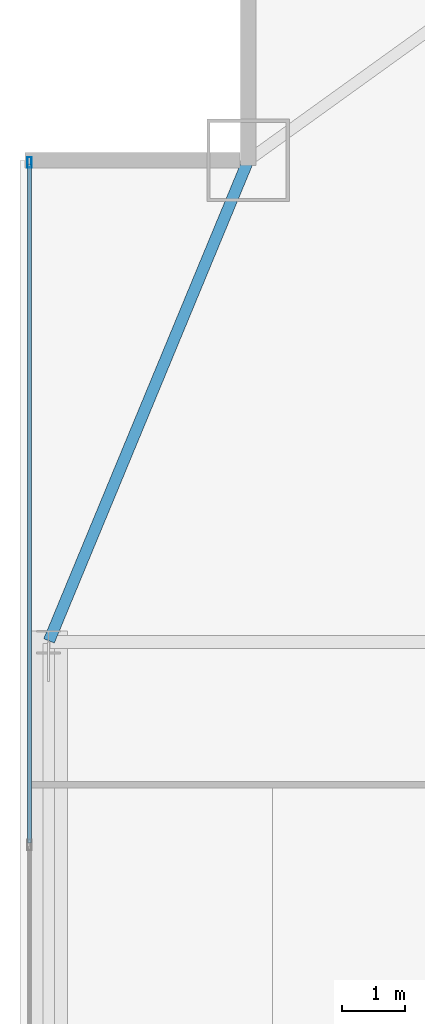
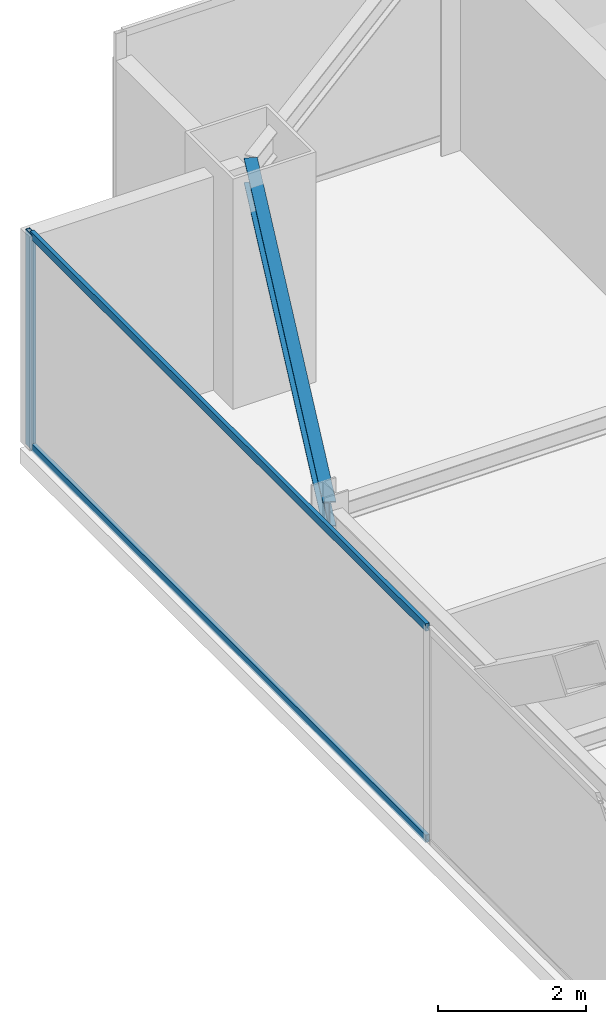
# One storey, part 21 of 34: 3 members, 1 beam, 1 element without a shape of its own.
"""IFC4 building model written with IfcOpenShell, lengths in metres."""

from ifc_helpers import new_model, si_unit, direction, frame, origin, origin_2d, place, context, subcontext, project, spatial, hollow_rectangle, i_section, extrude, source, transform, mapped, material, layer, layer_set, material_profile, profile_set, type_object, type_shapes, element, aggregate, save


model = new_model("IFC4")

# Units and contexts
model_context = context("Model", 3, precision=1e-05, world=origin(), true_north=direction((0.0, 1.0)))
body_context = subcontext(model_context, "Body", "Model", "MODEL_VIEW")
ifc_project = project(units=[si_unit("LENGTHUNIT", "METRE"), si_unit("AREAUNIT", "SQUARE_METRE"), si_unit("VOLUMEUNIT", "CUBIC_METRE"), si_unit("PLANEANGLEUNIT", "RADIAN"), si_unit("MASSUNIT", "GRAM", prefix="KILO")], contexts=[model_context])

# Site, building, storey
site_placement = place(None, origin())
site = spatial("IfcSite", under=ifc_project, at=site_placement, CompositionType="ELEMENT")
building_placement = place(site_placement, origin())
building = spatial("IfcBuilding", under=site, at=building_placement, Name="Varnel Quay Broadcast Tower", CompositionType="ELEMENT")
storey_placement = place(building_placement, frame((0.0, 0.0, 176.199951171875)))
storey = spatial("IfcBuildingStorey", under=building, at=storey_placement, Name="L43", CompositionType="ELEMENT", Elevation=176.199951171875)

# Beam
ifc_material_1 = material(Name="Structural Steel CSA G40.21 350W", Category="steel")
ifc_material_profile_1 = material_profile(ifc_material_1, i_section(OverallWidth=0.180908203125, OverallDepth=0.4169921875, WebThickness=0.010986328125, FlangeThickness=0.018310546875, FilletRadius=0.011962890625, at=origin_2d()), Name="W410X85")
ifc_profile_set_1 = profile_set([ifc_material_profile_1], Name="Structural Steel CSA G40.21 350W")
beam_type = type_object("IfcBeamType", Name="Beam_W410X85", PredefinedType="SPANDREL", material=ifc_profile_set_1)
shared_shape_1 = source(origin(), body_context, "Body", "SweptSolid", [
    extrude(i_section(OverallWidth=0.180908203125, OverallDepth=0.4169921875, WebThickness=0.010986328125, FlangeThickness=0.018310546875, FilletRadius=0.011962890625, at=origin_2d()), origin(), (0.0, 0.0, 1.0), 8.186767578125),
])
type_shapes(beam_type, [shared_shape_1])
beam_placement = place(storey_placement, frame((7.457763671875, 35.618408203125, 3.341552734375), z_axis=(0.382874132092, 0.923800519038, 0.0), x_axis=(-0.923800519038, 0.382874132092, 0.0)))
element("IfcBeam", 1, at=beam_placement, inside=storey, type_object=beam_type, Name="L43 West Spandrel TC-W3-MC-NW", PredefinedType="SPANDREL", context=body_context, shape_type="MappedRepresentation", body=[
    mapped(shared_shape_1, transform((0.0, 0.0, 0.0), x_axis=(1.0, 0.0, 0.0), y_axis=(0.0, 1.0, 0.0), z_axis=(0.0, 0.0, 1.0), scale=1.0)),
])

# Curtain wall, members
ifc_material_2 = material(Name="Anodised Bronze Aluminium 6063-T6", Category="aluminium")
ifc_layer = layer(ifc_material_2, 0.18994140625, Name="Anodised Bronze Aluminium 6063-T6")
ifc_layer_set = layer_set([ifc_layer], Name="Anodised Bronze Aluminium 6063-T6")
curtain_wall_type = type_object("IfcCurtainWallType", Name="CW_UpperTower", PredefinedType="NOTDEFINED", material=ifc_layer_set)
curtain_wall_placement = place(storey_placement, origin())
curtain_wall = element("IfcCurtainWall", 2, at=curtain_wall_placement, inside=storey, type_object=curtain_wall_type, Name="L43 West Unitised Curtain Wall", PredefinedType="NOTDEFINED")
ifc_material_profile_2 = material_profile(ifc_material_2, hollow_rectangle(XDim=0.06494140625, YDim=0.1650390625, WallThickness=0.00341796875, at=origin_2d()), Name="ALU65X165X3.5")
ifc_profile_set_2 = profile_set([ifc_material_profile_2], Name="Anodised Bronze Aluminium 6063-T6")
member_type_1 = type_object("IfcMemberType", Name="Mull_CWS-03", PredefinedType="MULLION", material=ifc_profile_set_2)
shared_shape_2 = source(origin(), body_context, "Body", "SweptSolid", [
    extrude(hollow_rectangle(XDim=0.06494140625, YDim=0.1650390625, WallThickness=0.00341796875, at=origin_2d()), origin(), (0.0, 0.0, 1.0), 3.550048828125),
])
type_shapes(member_type_1, [shared_shape_2])
member_1_placement = place(storey_placement, frame((7.14990234375, 43.16748046875, 0.0), z_axis=(0.0, 0.0, 1.0), x_axis=(-1.0, 0.0, 0.0)))
member_1 = element("IfcMember", 3, at=member_1_placement, type_object=member_type_1, Name="CWS-03 mullion 4", PredefinedType="MULLION", context=body_context, shape_type="MappedRepresentation", body=[
    mapped(shared_shape_2, transform((0.0, 0.0, 0.0), x_axis=(1.0, 0.0, 0.0), y_axis=(0.0, 1.0, 0.0), z_axis=(0.0, 0.0, 1.0), scale=1.0)),
])
ifc_material_profile_3 = material_profile(ifc_material_2, hollow_rectangle(XDim=0.06005859375, YDim=0.125, WallThickness=0.0029296875, at=origin_2d()), Name="ALU60X125X3")
ifc_profile_set_3 = profile_set([ifc_material_profile_3], Name="Anodised Bronze Aluminium 6063-T6")
member_type_2 = type_object("IfcMemberType", Name="Tran_CWS-03", PredefinedType="USERDEFINED", material=ifc_profile_set_3)
shared_shape_3 = source(origin(), body_context, "Body", "SweptSolid", [
    extrude(hollow_rectangle(XDim=0.06005859375, YDim=0.125, WallThickness=0.0029296875, at=origin_2d()), origin(), (0.0, 0.0, 1.0), 10.702392578125),
])
type_shapes(member_type_2, [shared_shape_3])
member_2_placement = place(storey_placement, frame((7.14990234375, 32.4326171875, 0.030029296875), z_axis=(0.0, 1.0, 0.0), x_axis=(-1.0, 0.0, 0.0)))
member_2 = element("IfcMember", 4, at=member_2_placement, type_object=member_type_2, Name="CWS-03 transom 3.1", ObjectType="TRANSOM", PredefinedType="USERDEFINED", context=body_context, shape_type="MappedRepresentation", body=[
    mapped(shared_shape_3, transform((0.0, 0.0, 0.0), x_axis=(1.0, 0.0, 0.0), y_axis=(0.0, 1.0, 0.0), z_axis=(0.0, 0.0, 1.0), scale=1.0)),
])
member_3_placement = place(storey_placement, frame((7.14990234375, 32.4326171875, 3.52001953125), z_axis=(0.0, 1.0, 0.0), x_axis=(-1.0, 0.0, 0.0)))
member_3 = element("IfcMember", 5, at=member_3_placement, type_object=member_type_2, Name="CWS-03 transom 3.2", ObjectType="TRANSOM", PredefinedType="USERDEFINED", context=body_context, shape_type="MappedRepresentation", body=[
    mapped(shared_shape_3, transform((0.0, 0.0, 0.0), x_axis=(1.0, 0.0, 0.0), y_axis=(0.0, 1.0, 0.0), z_axis=(0.0, 0.0, 1.0), scale=1.0)),
])
aggregate(curtain_wall, [member_1, member_2, member_3])

save(model, "model.ifc")
